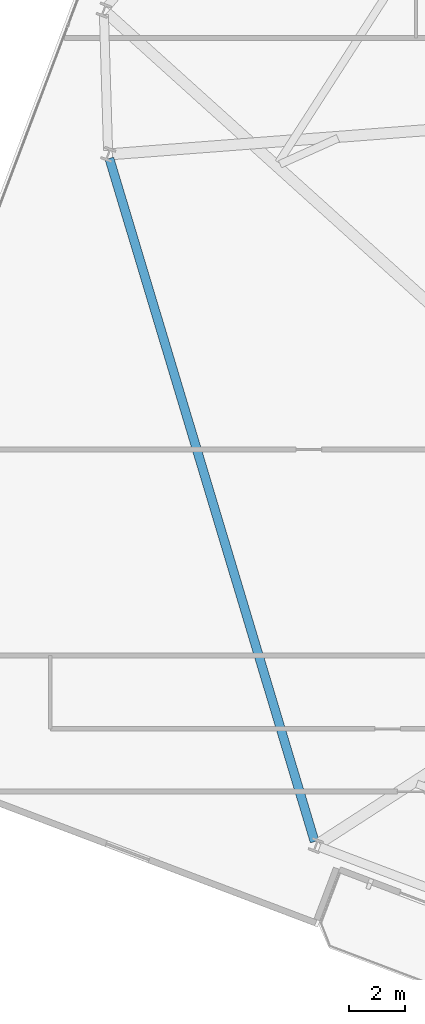
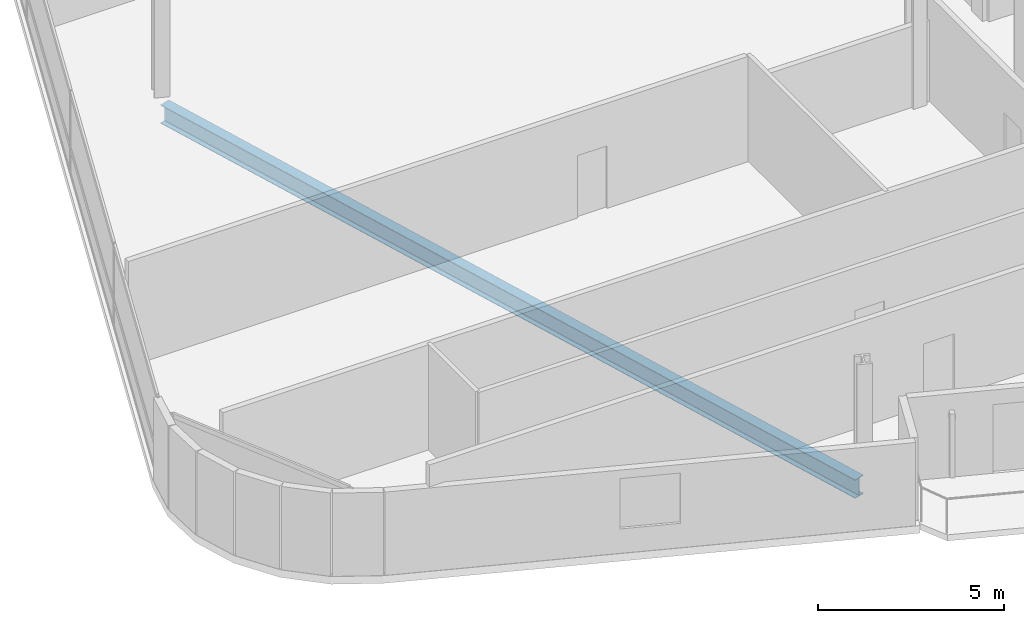
# One storey, part 5 of 25: 1 beam.
"""IFC4 building model written with IfcOpenShell, lengths in metres."""

from ifc_helpers import new_model, si_unit, direction, frame, origin, origin_2d, place, context, subcontext, project, spatial, i_section, extrude, material, material_profile, profile_set, type_object, element, save


model = new_model("IFC4")

# Units and contexts
model_context = context("Model", 3, precision=1e-05, world=origin(), true_north=direction((0.0, 1.0)))
body_context = subcontext(model_context, "Body", "Model", "MODEL_VIEW")
ifc_project = project(units=[si_unit("LENGTHUNIT", "METRE"), si_unit("AREAUNIT", "SQUARE_METRE"), si_unit("VOLUMEUNIT", "CUBIC_METRE"), si_unit("PLANEANGLEUNIT", "RADIAN"), si_unit("MASSUNIT", "GRAM", prefix="KILO")], contexts=[model_context])

# Site, building, storey
site_placement = place(None, origin())
site = spatial("IfcSite", under=ifc_project, at=site_placement, CompositionType="ELEMENT")
building_placement = place(site_placement, origin())
building = spatial("IfcBuilding", under=site, at=building_placement, Name="Varnelok Gate Tower", CompositionType="ELEMENT")
storey_placement = place(building_placement, frame((0.0, 0.0, 91.0)))
storey = spatial("IfcBuildingStorey", under=building, at=storey_placement, Name="L22", CompositionType="ELEMENT", Elevation=91.0)

# Beam
ifc_material = material(Name="Structural Steel ASTM A992 Grade 50", Category="steel")
ifc_material_profile = material_profile(ifc_material, i_section(OverallWidth=0.323974609375, OverallDepth=0.611083984375, WebThickness=0.0126953125, FlangeThickness=0.01904296875, FilletRadius=0.01806640625, at=origin_2d()), Name="W24X104")
ifc_profile_set = profile_set([ifc_material_profile], Name="Structural Steel ASTM A992 Grade 50")
beam_type = type_object("IfcBeamType", Name="BM-SPN-W24X104", PredefinedType="SPANDREL", material=ifc_profile_set)
beam_placement = place(storey_placement, frame((7.124267578125, 37.102294921875, -0.555419921875), z_axis=(0.287734186054, -0.957710310154, 0.0), x_axis=(0.957710310154, 0.287734186054, 0.0)))
element("IfcBeam", 1, at=beam_placement, inside=storey, type_object=beam_type, Name="L22 Perimeter Spandrel Beam 16", PredefinedType="SPANDREL", context=body_context, shape_type="SweptSolid", body=[
    extrude(i_section(OverallWidth=0.323974609375, OverallDepth=0.611083984375, WebThickness=0.0126953125, FlangeThickness=0.01904296875, FilletRadius=0.01806640625, at=origin_2d()), origin(), (0.0, 0.0, 1.0), 25.626220703125),
])

save(model, "model.ifc")
